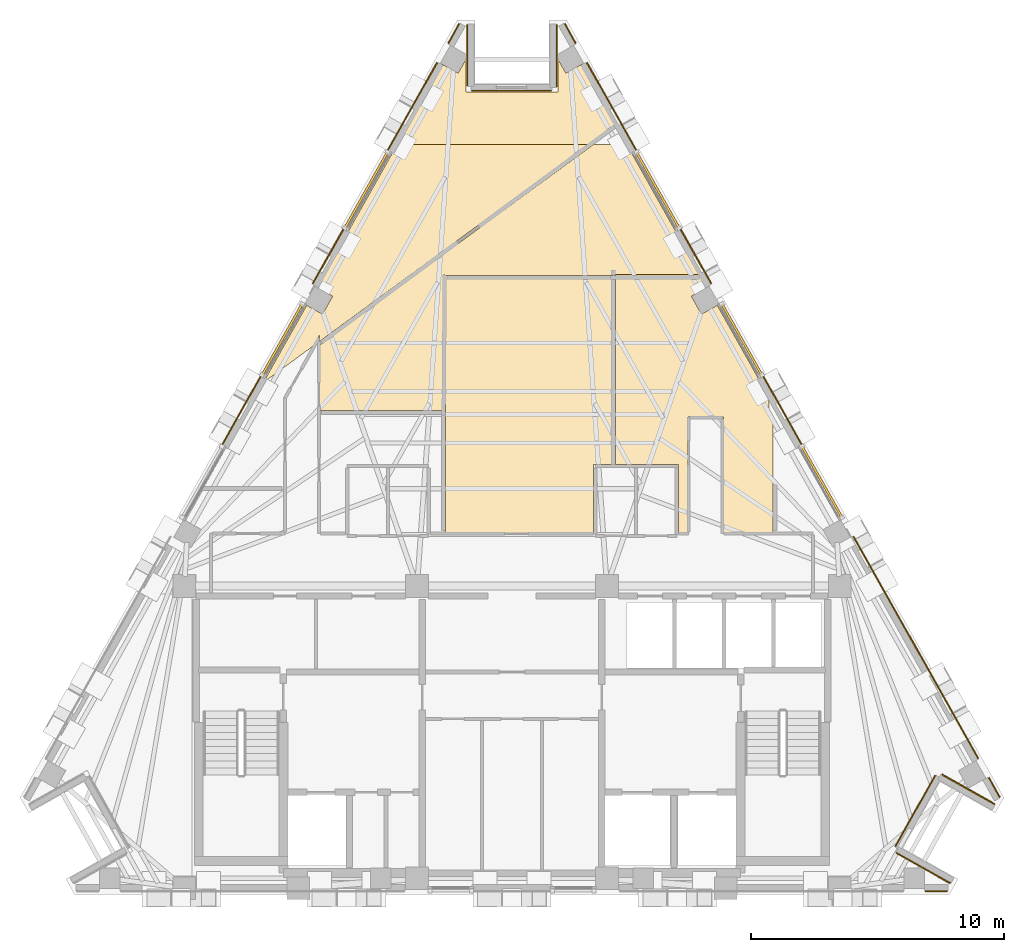
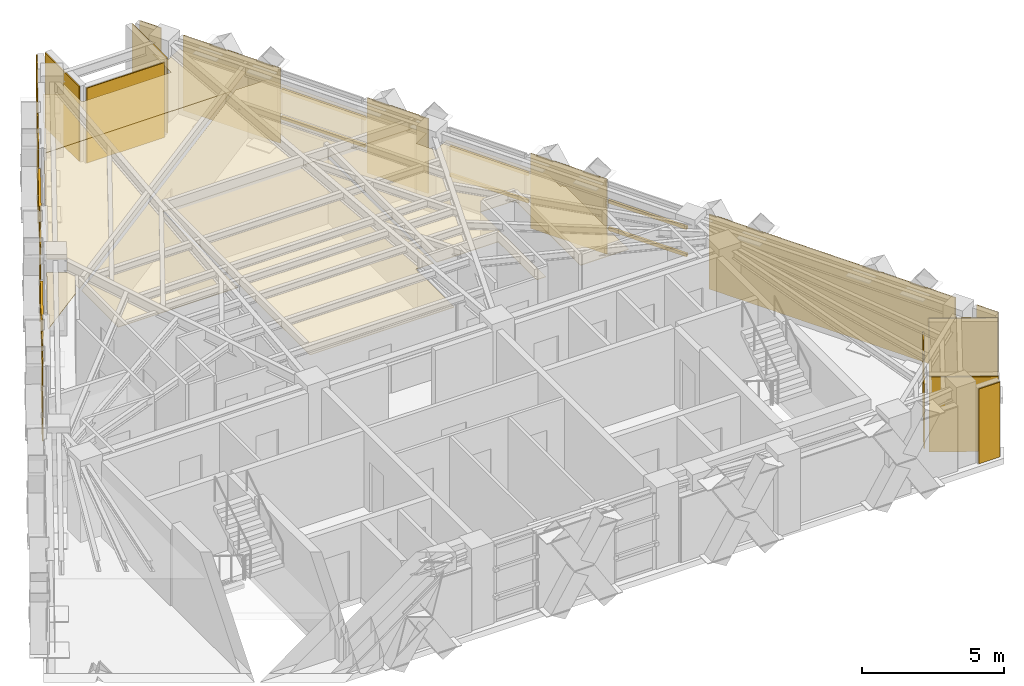
# One storey, part 11 of 11: 22 coverings, 10 shading devices.
"""IFC4 building model written with IfcOpenShell, lengths in metres."""

import ifcopenshell
import ifcopenshell.guid

model = None  # the IFC model being written
_history = None  # IfcOwnerHistory: only IFC2X3 demands one
_inside = {}  # id of a spatial element -> (the spatial element, [elements in it])
_under = {}  # id of a project, library or spatial element -> (it, [spatial elements below it])
_declared = {}  # id of a project -> (the project, [libraries it declares])
_typed = {}  # id of a type object -> (the type object, [elements of that type])
_made_of = {}  # id of a material, layer set ... -> (it, [elements and type objects made of it])


def new_model(schema):
    """Start an empty IFC model of exactly this schema.

    Asked for "IFC4X3", IfcOpenShell would pick the latest addendum, in which some entities
    have other attributes; the version numbers below select the first issue.
    IFC2X3 requires an IfcOwnerHistory on every rooted entity: one is made here for all.
    """
    global model, _history
    if schema == "IFC4X3":
        model = ifcopenshell.file(schema_version=(4, 3, 0, 0))
    else:
        model = ifcopenshell.file(schema=schema)
    _inside.clear()
    _under.clear()
    _declared.clear()
    _typed.clear()
    _made_of.clear()
    _history = None
    if model.schema == "IFC2X3":
        org = make("IfcOrganization", Name="unknown")
        user = make(
            "IfcPersonAndOrganization",
            ThePerson=make("IfcPerson", FamilyName="unknown"),
            TheOrganization=org,
        )
        app = make(
            "IfcApplication",
            ApplicationDeveloper=org,
            Version="unknown",
            ApplicationFullName="unknown",
            ApplicationIdentifier="unknown",
        )
        _history = make(
            "IfcOwnerHistory",
            OwningUser=user,
            OwningApplication=app,
            ChangeAction="ADDED",
            CreationDate=0,
        )
    return model


def make(cls, **values):
    """One entity of the class cls with the attributes given. An attribute that is None is left unset."""
    return model.create_entity(
        cls, **{name: value for name, value in values.items() if value is not None}
    )


def rooted(cls, **values):
    """An entity with a GlobalId (a new one), such as an element, a storey or a relation."""
    return make(cls, GlobalId=ifcopenshell.guid.new(), OwnerHistory=_history, **values)


def si_unit(unit_type, name, prefix=None):
    """IfcSIUnit, for example si_unit("LENGTHUNIT", "METRE", prefix="MILLI")."""
    return make("IfcSIUnit", UnitType=unit_type, Prefix=prefix, Name=name)


def assignment(units):
    """IfcUnitAssignment: the units of a project."""
    return None if units is None else make("IfcUnitAssignment", Units=units)


def point(xyz):
    """IfcCartesianPoint."""
    return None if xyz is None else make("IfcCartesianPoint", Coordinates=xyz)


def direction(xyz):
    """IfcDirection."""
    return None if xyz is None else make("IfcDirection", DirectionRatios=xyz)


def frame(location, z_axis=None, x_axis=None):
    """IfcAxis2Placement3D, a coordinate frame: its origin and axes. An axis left out is left unset."""
    return make(
        "IfcAxis2Placement3D",
        Location=point(location),
        Axis=direction(z_axis),
        RefDirection=direction(x_axis),
    )


def frame_2d(location, x_axis=None):
    """IfcAxis2Placement2D, a coordinate frame in the plane: its origin and x axis."""
    return make(
        "IfcAxis2Placement2D", Location=point(location), RefDirection=direction(x_axis)
    )


def origin():
    """The frame at (0, 0, 0) with its axes left unset."""
    return frame((0.0, 0.0, 0.0))


def origin_2d():
    """The frame at (0, 0) in the plane with its x axis left unset."""
    return frame_2d((0.0, 0.0))


def place(relative_to, where):
    """IfcLocalPlacement: puts the frame where relative to a parent placement (None: the world)."""
    return make(
        "IfcLocalPlacement", PlacementRelTo=relative_to, RelativePlacement=where
    )


def context(
    kind, dimensions, precision=None, world=None, true_north=None, identifier=None
):
    """IfcGeometricRepresentationContext, for example the 3D "Model" context."""
    return make(
        "IfcGeometricRepresentationContext",
        ContextIdentifier=identifier,
        ContextType=kind,
        CoordinateSpaceDimension=dimensions,
        Precision=precision,
        WorldCoordinateSystem=world,
        TrueNorth=true_north,
    )


def subcontext(parent, identifier, kind, view, scale=None):
    """IfcGeometricRepresentationSubContext, for example "Body" below "Model"."""
    return make(
        "IfcGeometricRepresentationSubContext",
        ContextIdentifier=identifier,
        ContextType=kind,
        ParentContext=parent,
        TargetScale=scale,
        TargetView=view,
    )


def project(units=None, contexts=None):
    """IfcProject with its units and contexts."""
    return rooted(
        "IfcProject",
        Name="project",
        RepresentationContexts=contexts,
        UnitsInContext=assignment(units),
    )


def spatial(cls, under=None, at=None, **own):
    """A site, building, storey or space (cls), placed at a placement, below another one or the project."""
    s = rooted(cls, ObjectPlacement=at, **own)
    if under is not None:
        _under.setdefault(under.id(), (under, []))[1].append(s)
    return s


def polyline(points):
    """IfcPolyline through the points."""
    return make("IfcPolyline", Points=[point(p) for p in points])


def profile(cls, at=None, kind="AREA", **sizes):
    """A parametric profile (cls). Its sizes go by their IFC names, for example OverallWidth=200.0."""
    return make(cls, ProfileType=kind, Position=at, **sizes)


def rectangle(**sizes):
    """IfcRectangleProfileDef."""
    return profile("IfcRectangleProfileDef", **sizes)


def outline(outer, holes=None, kind="AREA"):
    """IfcArbitraryClosedProfileDef: a profile drawn as a closed curve; with holes, ...WithVoids."""
    if holes is None:
        return make("IfcArbitraryClosedProfileDef", ProfileType=kind, OuterCurve=outer)
    return make(
        "IfcArbitraryProfileDefWithVoids",
        ProfileType=kind,
        OuterCurve=outer,
        InnerCurves=holes,
    )


def extrude(swept, where, along, depth):
    """IfcExtrudedAreaSolid: the profile swept, set in the frame where, extruded along a direction by depth."""
    return make(
        "IfcExtrudedAreaSolid",
        SweptArea=swept,
        Position=where,
        ExtrudedDirection=direction(along),
        Depth=depth,
    )


def shape(context_of_items, identifier, shape_type, items):
    """IfcShapeRepresentation: the items that make up one representation, for example the "Body"."""
    return make(
        "IfcShapeRepresentation",
        ContextOfItems=context_of_items,
        RepresentationIdentifier=identifier,
        RepresentationType=shape_type,
        Items=items,
    )


def material(Name=None, Category=None):
    """IfcMaterial."""
    return make("IfcMaterial", Name=Name, Category=Category)


def layer(
    of_material, thickness, ventilated=None, Name=None, Category=None, Priority=None
):
    """IfcMaterialLayer: one layer of a wall or slab, of a material (None: an air gap)."""
    return make(
        "IfcMaterialLayer",
        Material=of_material,
        LayerThickness=thickness,
        IsVentilated=ventilated,
        Name=Name,
        Category=Category,
        Priority=Priority,
    )


def layer_set(layers, Name=None):
    """IfcMaterialLayerSet."""
    return make("IfcMaterialLayerSet", MaterialLayers=layers, LayerSetName=Name)


def material_profile(
    of_material, cross_section, Name=None, Category=None, Priority=None
):
    """IfcMaterialProfile: a cross section and its material."""
    return make(
        "IfcMaterialProfile",
        Name=Name,
        Material=of_material,
        Profile=cross_section,
        Priority=Priority,
        Category=Category,
    )


def profile_set(profiles, Name=None, composite=None):
    """IfcMaterialProfileSet."""
    return make(
        "IfcMaterialProfileSet",
        Name=Name,
        MaterialProfiles=profiles,
        CompositeProfile=composite,
    )


def made_of(thing, what):
    """Note that an element or type object is made of a material, layer set ...; save() writes the relation."""
    if what is not None:
        _made_of.setdefault(what.id(), (what, []))[1].append(thing)
    return thing


def type_object(cls, material=None, **own):
    """A type object (cls), such as IfcWallType, which elements share."""
    return made_of(rooted(cls, **own), material)


def element(
    cls,
    number,
    at=None,
    inside=None,
    cuts=None,
    type_object=None,
    material=None,
    context=None,
    identifier="Body",
    shape_type=None,
    held_by="IfcProductDefinitionShape",
    body=None,
    shapes=None,
    **own,
):
    """One element of the class cls, such as IfcWall. Its Tag is "e" and its number.

    at: its placement. inside: the storey or other place that contains it. cuts: it is an
    opening in that element (IfcRelVoidsElement). A single representation is given by context,
    identifier, shape_type and body (its items); several are given by shapes. held_by: the class
    of the entity that holds the representations. save() writes the other relations.
    """
    e = rooted(cls, Tag="e%d" % number, ObjectPlacement=at, **own)
    if body is not None:
        shapes = [shape(context, identifier, shape_type, body)]
    if shapes is not None:
        e.Representation = make(held_by, Representations=shapes)
    if inside is not None:
        _inside.setdefault(inside.id(), (inside, []))[1].append(e)
    if cuts is not None:
        rooted(
            "IfcRelVoidsElement", RelatingBuildingElement=cuts, RelatedOpeningElement=e
        )
    if type_object is not None:
        _typed.setdefault(type_object.id(), (type_object, []))[1].append(e)
    return made_of(e, material)


def aggregate(whole, parts):
    """IfcRelAggregates: a whole, such as a stair, and the parts it consists of."""
    return rooted("IfcRelAggregates", RelatingObject=whole, RelatedObjects=parts)


def save(model, path):
    """Write the relations noted so far, then the file.

    IfcRelAggregates (storeys below a building ...), IfcRelContainedInSpatialStructure (elements
    in a storey), IfcRelDefinesByType, IfcRelAssociatesMaterial and IfcRelDeclares: one each for
    every whole, place, type object, material and project.
    """
    for whole, parts in _under.values():
        aggregate(whole, parts)
    for where, things in _inside.values():
        rooted(
            "IfcRelContainedInSpatialStructure",
            RelatedElements=things,
            RelatingStructure=where,
        )
    for kind, things in _typed.values():
        rooted("IfcRelDefinesByType", RelatedObjects=things, RelatingType=kind)
    for what, things in _made_of.values():
        rooted("IfcRelAssociatesMaterial", RelatedObjects=things, RelatingMaterial=what)
    for by, libraries in _declared.values():
        rooted("IfcRelDeclares", RelatingContext=by, RelatedDefinitions=libraries)
    model.write(path)


model = new_model("IFC4")

# Units and contexts
model_context = context("Model", 3, precision=1e-05, world=origin(), true_north=direction((0.0, 1.0)))
body_context = subcontext(model_context, "Body", "Model", "MODEL_VIEW")
ifc_project = project(units=[si_unit("LENGTHUNIT", "METRE"), si_unit("AREAUNIT", "SQUARE_METRE"), si_unit("VOLUMEUNIT", "CUBIC_METRE"), si_unit("PLANEANGLEUNIT", "RADIAN"), si_unit("MASSUNIT", "GRAM", prefix="KILO")], contexts=[model_context])

# Site, building, storey
site_placement = place(None, origin())
site = spatial("IfcSite", under=ifc_project, at=site_placement, CompositionType="ELEMENT")
building_placement = place(site_placement, origin())
building = spatial("IfcBuilding", under=site, at=building_placement, Name="Quenlor Broadcast Tower", CompositionType="ELEMENT")
storey_placement = place(building_placement, frame((0.0, 0.0, 242.89990234375)))
storey = spatial("IfcBuildingStorey", under=building, at=storey_placement, Name="L67", CompositionType="ELEMENT", Elevation=242.89990234375)

# Coverings
ifc_material_1 = material(Name="Acoustic Mineral Fibre Board", Category="other")
ifc_layer_1 = layer(ifc_material_1, 0.02490234375)
ifc_layer_set_1 = layer_set([ifc_layer_1], Name="Acoustic Perforated Mineral Tile Ceiling 25")
covering_type_1 = type_object("IfcCoveringType", Name="Acoustic Perforated Mineral Tile Ceiling 25", PredefinedType="CEILING", material=ifc_layer_set_1)
covering_1_placement = place(storey_placement, frame((0.0, 0.0, 2.714599609375)))
element("IfcCovering", 1, at=covering_1_placement, inside=storey, type_object=covering_type_1, Name="L67 Acoustic Ceiling L67-26", PredefinedType="CEILING", context=body_context, shape_type="SweptSolid", body=[
    extrude(outline(polyline([(-7.48583984375, 5.93359375), (-7.0859375, 6.64501953125), (-7.711669921875, 6.996826171875), (-6.462158203125, 9.218017578125), (-4.53173828125, 12.64990234375), (3.030517578125, 12.64990234375), (-7.60009765625, 4.864990234375), (-7.60009765625, 5.114990234375), (-7.839111328125, 4.68994140625), (-9.8291015625, 3.232666015625), (-8.11181640625, 6.28564453125), (-7.48583984375, 5.93359375)])), origin(), (0.0, 0.0, 1.0), 0.025146484375),
])
covering_2_placement = place(storey_placement, frame((0.0, 0.0, 2.714599609375)))
element("IfcCovering", 2, at=covering_2_placement, inside=storey, type_object=covering_type_1, Name="L67 Acoustic Ceiling L67-26-2", PredefinedType="CEILING", context=body_context, shape_type="SweptSolid", body=[
    extrude(outline(polyline([(-2.77001953125, 15.781982421875), (-2.7548828125, 15.808837890625), (-2.129150390625, 15.456787109375), (-1.808837890625, 16.0263671875), (-1.808837890625, 14.719970703125), (1.808837890625, 14.719970703125), (1.808837890625, 16.0263671875), (2.129150390625, 15.456787109375), (2.7548828125, 15.808837890625), (4.006591796875, 13.583740234375), (4.09375, 13.4287109375), (3.030517578125, 12.64990234375), (-4.53173828125, 12.64990234375), (-2.77001953125, 15.781982421875)])), origin(), (0.0, 0.0, 1.0), 0.025146484375),
])
covering_3_placement = place(storey_placement, frame((0.0, 0.0, 2.714599609375)))
element("IfcCovering", 3, at=covering_3_placement, inside=storey, type_object=covering_type_1, Name="L67 Acoustic Ceiling L67-27", PredefinedType="CEILING", context=body_context, shape_type="SweptSolid", body=[
    extrude(outline(polyline([(7.3759765625, 7.470703125), (4.080078125, 7.469970703125), (4.05078125, 7.472900390625), (4.022705078125, 7.4814453125), (4.00341796875, 7.4765625), (3.974609375, 7.470703125), (-2.6201171875, 7.469970703125), (-2.6494140625, 7.472900390625), (-2.677490234375, 7.4814453125), (-2.696533203125, 7.4765625), (-2.725341796875, 7.470703125), (-2.739990234375, 2.13720703125), (-7.60009765625, 2.13720703125), (-7.60009765625, 4.71630859375), (3.233642578125, 12.64990234375), (4.531494140625, 12.64990234375), (7.4326171875, 7.488037109375), (7.405029296875, 7.4765625), (7.3759765625, 7.470703125)])), origin(), (0.0, 0.0, 1.0), 0.025146484375),
])
covering_4_placement = place(storey_placement, frame((0.0, 0.0, 2.714599609375)))
element("IfcCovering", 4, at=covering_4_placement, inside=storey, type_object=covering_type_1, Name="L67 Acoustic Ceiling L67-28", PredefinedType="CEILING", context=body_context, shape_type="SweptSolid", body=[
    extrude(outline(polyline([(6.570068359375, -2.699951171875), (6.570068359375, -0.010009765625), (4.080078125, -0.010009765625), (4.080078125, 7.5), (7.4287109375, 7.5), (7.711669921875, 6.996826171875), (7.0859375, 6.64501953125), (7.48583984375, 5.93359375), (8.11181640625, 6.28564453125), (10.159912109375, 2.644287109375), (10.159912109375, 1.85009765625), (10.189208984375, 1.84716796875), (10.21728515625, 1.838623046875), (10.243408203125, 1.82470703125), (10.26611328125, 1.80615234375), (10.28466796875, 1.783203125), (10.298583984375, 1.75732421875), (10.30712890625, 1.729248046875), (10.31005859375, 1.699951171875), (10.31005859375, -2.699951171875), (8.35009765625, -2.699951171875), (8.35009765625, 1.85009765625), (8.35009765625, 1.8798828125), (6.949951171875, 1.8798828125), (6.949951171875, -2.699951171875), (6.570068359375, -2.699951171875)])), origin(), (0.0, 0.0, 1.0), 0.025146484375),
])
covering_5_placement = place(storey_placement, frame((0.0, 0.0, 2.714599609375)))
element("IfcCovering", 5, at=covering_5_placement, inside=storey, type_object=covering_type_1, Name="L67 Acoustic Ceiling L67-29", PredefinedType="CEILING", context=body_context, shape_type="SweptSolid", body=[
    extrude(outline(polyline([(-2.6201171875, 7.5), (3.9599609375, 7.5), (3.9599609375, -0.010009765625), (3.22998046875, -0.010009765625), (3.22998046875, -2.699951171875), (-2.6201171875, -2.699951171875), (-2.6201171875, 7.5)])), origin(), (0.0, 0.0, 1.0), 0.025146484375),
])

# Shading devices
ifc_material_2 = material(Name="Architectural Terracotta Ceramic", Category="masonry")
ifc_material_profile = material_profile(ifc_material_2, rectangle(XDim=0.090087890625, YDim=0.139892578125, at=origin_2d()))
ifc_profile_set = profile_set([ifc_material_profile], Name="Architectural Terracotta Ceramic BAG90x140")
shading_device_type = type_object("IfcShadingDeviceType", Name="Copper Terracotta Baguette Solar Screen 140", PredefinedType="USERDEFINED", material=ifc_profile_set)
for number, where, z_axis, x_axis, name in (
    (6, (4.920654296875, 12.331787109375, 1.170166015625), (0.490251066516, -0.871581259425, 0.0), (0.871581259425, 0.490251066516, 0.0), "L67 Terracotta Baguette Screen 1"),
    (7, (4.920654296875, 12.331787109375, 2.340087890625), (0.490251066516, -0.871581259425, 0.0), (0.871581259425, 0.490251066516, 0.0), "L67 Terracotta Baguette Screen 2"),
):
    element("IfcShadingDevice", number, at=place(storey_placement, frame(where, z_axis=z_axis, x_axis=x_axis)), inside=storey, type_object=shading_device_type, Name=name, ObjectType="BAGUETTE", PredefinedType="USERDEFINED", context=body_context, shape_type="SweptSolid", body=[
        extrude(rectangle(XDim=0.090087890625, YDim=0.139892578125, at=origin_2d()), origin(), (0.0, 0.0, 1.0), 3.418212890625),
    ])
for number, where, z_axis, x_axis, name in (
    (8, (8.29296875, 6.336669921875, 1.170166015625), (0.490261239633, -0.871575537125, 0.0), (0.871575537125, 0.490261239633, 0.0), "L67 Terracotta Baguette Screen 1"),
    (9, (8.29296875, 6.336669921875, 2.340087890625), (0.490261239633, -0.871575537125, 0.0), (0.871575537125, 0.490261239633, 0.0), "L67 Terracotta Baguette Screen 2"),
    (10, (11.460205078125, 0.706298828125, 1.170166015625), (0.490203442487, -0.871608045496, 0.0), (0.871608045496, 0.490203442487, 0.0), "L67 Terracotta Baguette Screen 1"),
    (11, (11.460205078125, 0.706298828125, 2.340087890625), (0.490203442487, -0.871608045496, 0.0), (0.871608045496, 0.490203442487, 0.0), "L67 Terracotta Baguette Screen 2"),
):
    element("IfcShadingDevice", number, at=place(storey_placement, frame(where, z_axis=z_axis, x_axis=x_axis)), inside=storey, type_object=shading_device_type, Name=name, ObjectType="BAGUETTE", PredefinedType="USERDEFINED", context=body_context, shape_type="SweptSolid", body=[
        extrude(rectangle(XDim=0.090087890625, YDim=0.139892578125, at=origin_2d()), origin(), (0.0, 0.0, 1.0), 3.208984375),
    ])
for number, where, z_axis, x_axis, name in (
    (12, (-6.596435546875, 9.3525390625, 1.170166015625), (0.490251066516, 0.871581259425, 0.0), (-0.871581259425, 0.490251066516, 0.0), "L67 Terracotta Baguette Screen 1"),
    (13, (-6.596435546875, 9.3525390625, 2.340087890625), (0.490251066516, 0.871581259425, 0.0), (-0.871581259425, 0.490251066516, 0.0), "L67 Terracotta Baguette Screen 2"),
):
    element("IfcShadingDevice", number, at=place(storey_placement, frame(where, z_axis=z_axis, x_axis=x_axis)), inside=storey, type_object=shading_device_type, Name=name, ObjectType="BAGUETTE", PredefinedType="USERDEFINED", context=body_context, shape_type="SweptSolid", body=[
        extrude(rectangle(XDim=0.090087890625, YDim=0.139892578125, at=origin_2d()), origin(), (0.0, 0.0, 1.0), 3.418212890625),
    ])
for number, where, z_axis, x_axis, name in (
    (14, (-9.8662109375, 3.539794921875, 1.170166015625), (0.490261239633, 0.871575537125, 0.0), (-0.871575537125, 0.490261239633, 0.0), "L67 Terracotta Baguette Screen 1"),
    (15, (-9.8662109375, 3.539794921875, 2.340087890625), (0.490261239633, 0.871575537125, 0.0), (-0.871575537125, 0.490261239633, 0.0), "L67 Terracotta Baguette Screen 2"),
):
    element("IfcShadingDevice", number, at=place(storey_placement, frame(where, z_axis=z_axis, x_axis=x_axis)), inside=storey, type_object=shading_device_type, Name=name, ObjectType="BAGUETTE", PredefinedType="USERDEFINED", context=body_context, shape_type="SweptSolid", body=[
        extrude(rectangle(XDim=0.090087890625, YDim=0.139892578125, at=origin_2d()), origin(), (0.0, 0.0, 1.0), 3.208984375),
    ])

# Coverings
ifc_material_3 = material(Name="Architectural Terracotta Ceramic", Category="masonry")
ifc_layer_2 = layer(ifc_material_3, 0.044921875)
ifc_layer_set_2 = layer_set([ifc_layer_2], Name="Fluted Terracotta Rainscreen Cladding Panel")
covering_type_2 = type_object("IfcCoveringType", Name="Fluted Terracotta Rainscreen Cladding Panel", PredefinedType="CLADDING", material=ifc_layer_set_2)
covering_6_placement = place(storey_placement, frame((0.0, 0.0, 0.02001953125)))
element("IfcCovering", 16, at=covering_6_placement, inside=storey, type_object=covering_type_2, Name="L67 Terracotta Rainscreen Cladding L67-SHD-SS0", PredefinedType="CLADDING", context=body_context, shape_type="SweptSolid", body=[
    extrude(outline(polyline([(17.18994140625, -16.8369140625), (16.33251953125, -16.8369140625), (16.33251953125, -16.882080078125), (17.18994140625, -16.882080078125), (17.18994140625, -16.8369140625)])), origin(), (0.0, 0.0, 1.0), 3.2099609375),
])
covering_7_placement = place(storey_placement, frame((0.0, 0.0, 0.02001953125)))
element("IfcCovering", 17, at=covering_7_placement, inside=storey, type_object=covering_type_2, Name="L67 Terracotta Rainscreen Cladding L67-SHD-NES0", PredefinedType="CLADDING", context=body_context, shape_type="SweptSolid", body=[
    extrude(outline(polyline([(2.06201171875, 17.401611328125), (2.495849609375, 16.630615234375), (2.534912109375, 16.652587890625), (2.101318359375, 17.423583984375), (2.06201171875, 17.401611328125)])), origin(), (0.0, 0.0, 1.0), 3.2099609375),
])
covering_8_placement = place(storey_placement, frame((0.0, 0.0, 0.02001953125)))
element("IfcCovering", 18, at=covering_8_placement, inside=storey, type_object=covering_type_2, Name="L67 Terracotta Rainscreen Cladding L67-SHD-NES1", PredefinedType="CLADDING", context=body_context, shape_type="SweptSolid", body=[
    extrude(outline(polyline([(18.820068359375, -12.39013671875), (19.25390625, -13.161376953125), (19.29296875, -13.139404296875), (18.859130859375, -12.3681640625), (18.820068359375, -12.39013671875)])), origin(), (0.0, 0.0, 1.0), 3.2099609375),
])
covering_9_placement = place(storey_placement, frame((0.0, 0.0, 0.02001953125)))
element("IfcCovering", 19, at=covering_9_placement, inside=storey, type_object=covering_type_2, Name="L67 Terracotta Rainscreen Cladding L67-NEA-SP1", PredefinedType="CLADDING", context=body_context, shape_type="SweptSolid", body=[
    extrude(outline(polyline([(2.94091796875, 15.859619140625), (4.8935546875, 12.388427734375), (4.9326171875, 12.410400390625), (2.980224609375, 15.881591796875), (2.94091796875, 15.859619140625)])), origin(), (0.0, 0.0, 1.0), 3.2099609375),
])
covering_10_placement = place(storey_placement, frame((0.0, 0.0, 0.02001953125)))
element("IfcCovering", 20, at=covering_10_placement, inside=storey, type_object=covering_type_2, Name="L67 Terracotta Rainscreen Cladding L67-NEA-SP2", PredefinedType="CLADDING", context=body_context, shape_type="SweptSolid", body=[
    extrude(outline(polyline([(6.630615234375, 9.300048828125), (7.8515625, 7.129638671875), (7.890625, 7.151611328125), (6.669921875, 9.322021484375), (6.630615234375, 9.300048828125)])), origin(), (0.0, 0.0, 1.0), 3.2099609375),
])
covering_11_placement = place(storey_placement, frame((0.0, 0.0, 0.02001953125)))
element("IfcCovering", 21, at=covering_11_placement, inside=storey, type_object=covering_type_2, Name="L67 Terracotta Rainscreen Cladding L67-EW-NEC", PredefinedType="CLADDING", context=body_context, shape_type="SweptSolid", body=[
    extrude(outline(polyline([(13.471923828125, -2.862060546875), (18.402099609375, -11.626953125), (18.44140625, -11.60498046875), (13.51123046875, -2.840087890625), (13.471923828125, -2.862060546875)])), origin(), (0.0, 0.0, 1.0), 3.2099609375),
])
covering_12_placement = place(storey_placement, frame((0.0, 0.0, 0.02001953125)))
element("IfcCovering", 22, at=covering_12_placement, inside=storey, type_object=covering_type_2, Name="L67 Terracotta Rainscreen Cladding L67-NE-SP1", PredefinedType="CLADDING", context=body_context, shape_type="SweptSolid", body=[
    extrude(outline(polyline([(9.900390625, 3.4873046875), (11.432861328125, 0.7626953125), (11.47216796875, 0.784912109375), (9.939697265625, 3.50927734375), (9.900390625, 3.4873046875)])), origin(), (0.0, 0.0, 1.0), 3.2099609375),
])
covering_13_placement = place(storey_placement, frame((0.0, 0.0, 0.02001953125)))
element("IfcCovering", 23, at=covering_13_placement, inside=storey, type_object=covering_type_2, Name="L67 Terracotta Rainscreen Cladding L67-SHD-NWS1", PredefinedType="CLADDING", context=body_context, shape_type="SweptSolid", body=[
    extrude(outline(polyline([(-2.495849609375, 16.630615234375), (-2.06201171875, 17.401611328125), (-2.101318359375, 17.423583984375), (-2.534912109375, 16.652587890625), (-2.495849609375, 16.630615234375)])), origin(), (0.0, 0.0, 1.0), 3.2099609375),
])
covering_14_placement = place(storey_placement, frame((0.0, 0.0, 0.02001953125)))
element("IfcCovering", 24, at=covering_14_placement, inside=storey, type_object=covering_type_2, Name="L67 Terracotta Rainscreen Cladding L67-NWC-SP1", PredefinedType="CLADDING", context=body_context, shape_type="SweptSolid", body=[
    extrude(outline(polyline([(-7.8515625, 7.129638671875), (-6.630615234375, 9.300048828125), (-6.669921875, 9.322021484375), (-7.890625, 7.151611328125), (-7.8515625, 7.129638671875)])), origin(), (0.0, 0.0, 1.0), 3.2099609375),
])
covering_15_placement = place(storey_placement, frame((0.0, 0.0, 0.02001953125)))
element("IfcCovering", 25, at=covering_15_placement, inside=storey, type_object=covering_type_2, Name="L67 Terracotta Rainscreen Cladding L67-NWC-SP2", PredefinedType="CLADDING", context=body_context, shape_type="SweptSolid", body=[
    extrude(outline(polyline([(-4.8935546875, 12.388427734375), (-2.94091796875, 15.859619140625), (-2.980224609375, 15.881591796875), (-4.9326171875, 12.410400390625), (-4.8935546875, 12.388427734375)])), origin(), (0.0, 0.0, 1.0), 3.2099609375),
])
covering_16_placement = place(storey_placement, frame((0.0, 0.0, 0.02001953125)))
element("IfcCovering", 26, at=covering_16_placement, inside=storey, type_object=covering_type_2, Name="L67 Terracotta Rainscreen Cladding L67-NW-SP1", PredefinedType="CLADDING", context=body_context, shape_type="SweptSolid", body=[
    extrude(outline(polyline([(-11.432861328125, 0.7626953125), (-9.900390625, 3.4873046875), (-9.939697265625, 3.50927734375), (-11.47216796875, 0.784912109375), (-11.432861328125, 0.7626953125)])), origin(), (0.0, 0.0, 1.0), 3.2099609375),
])
covering_17_placement = place(storey_placement, frame((0.0, 0.0, 0.02001953125)))
element("IfcCovering", 27, at=covering_17_placement, inside=storey, type_object=covering_type_2, Name="L67 Terracotta Rainscreen Cladding L67-CNR-01", PredefinedType="CLADDING", context=body_context, shape_type="SweptSolid", body=[
    extrude(outline(polyline([(17.32666015625, -16.529541015625), (15.199951171875, -15.333251953125), (15.177978515625, -15.372314453125), (17.3046875, -16.568603515625), (17.32666015625, -16.529541015625)])), origin(), (0.0, 0.0, 1.0), 3.2099609375),
])
covering_18_placement = place(storey_placement, frame((0.0, 0.0, 0.02001953125)))
element("IfcCovering", 28, at=covering_18_placement, inside=storey, type_object=covering_type_2, Name="L67 Terracotta Rainscreen Cladding L67-CNR-02", PredefinedType="CLADDING", context=body_context, shape_type="SweptSolid", body=[
    extrude(outline(polyline([(15.16552734375, -15.10498046875), (16.7421875, -12.302001953125), (16.702880859375, -12.280029296875), (15.126220703125, -15.0830078125), (15.16552734375, -15.10498046875)])), origin(), (0.0, 0.0, 1.0), 2.749755859375),
])
covering_19_placement = place(storey_placement, frame((0.0, 0.0, 0.02001953125)))
element("IfcCovering", 29, at=covering_19_placement, inside=storey, type_object=covering_type_2, Name="L67 Terracotta Rainscreen Cladding L67-CNR-03", PredefinedType="CLADDING", context=body_context, shape_type="SweptSolid", body=[
    extrude(outline(polyline([(16.970458984375, -12.267578125), (19.062255859375, -13.444091796875), (19.084228515625, -13.405029296875), (16.992431640625, -12.228271484375), (16.970458984375, -12.267578125)])), origin(), (0.0, 0.0, 1.0), 3.2099609375),
])
covering_20_placement = place(storey_placement, frame((0.0, 0.0, 0.02001953125)))
element("IfcCovering", 30, at=covering_20_placement, inside=storey, type_object=covering_type_2, Name="L67 Terracotta Rainscreen Cladding L67-CNR-07", PredefinedType="CLADDING", context=body_context, shape_type="SweptSolid", body=[
    extrude(outline(polyline([(1.74072265625, 17.3701171875), (1.74072265625, 14.929931640625), (1.785888671875, 14.929931640625), (1.785888671875, 17.3701171875), (1.74072265625, 17.3701171875)])), origin(), (0.0, 0.0, 1.0), 3.2099609375),
])
covering_21_placement = place(storey_placement, frame((0.0, 0.0, 0.02001953125)))
element("IfcCovering", 31, at=covering_21_placement, inside=storey, type_object=covering_type_2, Name="L67 Terracotta Rainscreen Cladding L67-CNR-08", PredefinedType="CLADDING", context=body_context, shape_type="SweptSolid", body=[
    extrude(outline(polyline([(1.558837890625, 14.7880859375), (-1.598876953125, 14.7880859375), (-1.598876953125, 14.742919921875), (1.558837890625, 14.742919921875), (1.558837890625, 14.7880859375)])), origin(), (0.0, 0.0, 1.0), 3.2099609375),
])
covering_22_placement = place(storey_placement, frame((0.0, 0.0, 0.02001953125)))
element("IfcCovering", 32, at=covering_22_placement, inside=storey, type_object=covering_type_2, Name="L67 Terracotta Rainscreen Cladding L67-CNR-09", PredefinedType="CLADDING", context=body_context, shape_type="SweptSolid", body=[
    extrude(outline(polyline([(-1.74072265625, 14.969970703125), (-1.74072265625, 17.3701171875), (-1.785888671875, 17.3701171875), (-1.785888671875, 14.969970703125), (-1.74072265625, 14.969970703125)])), origin(), (0.0, 0.0, 1.0), 3.2099609375),
])

save(model, "model.ifc")
